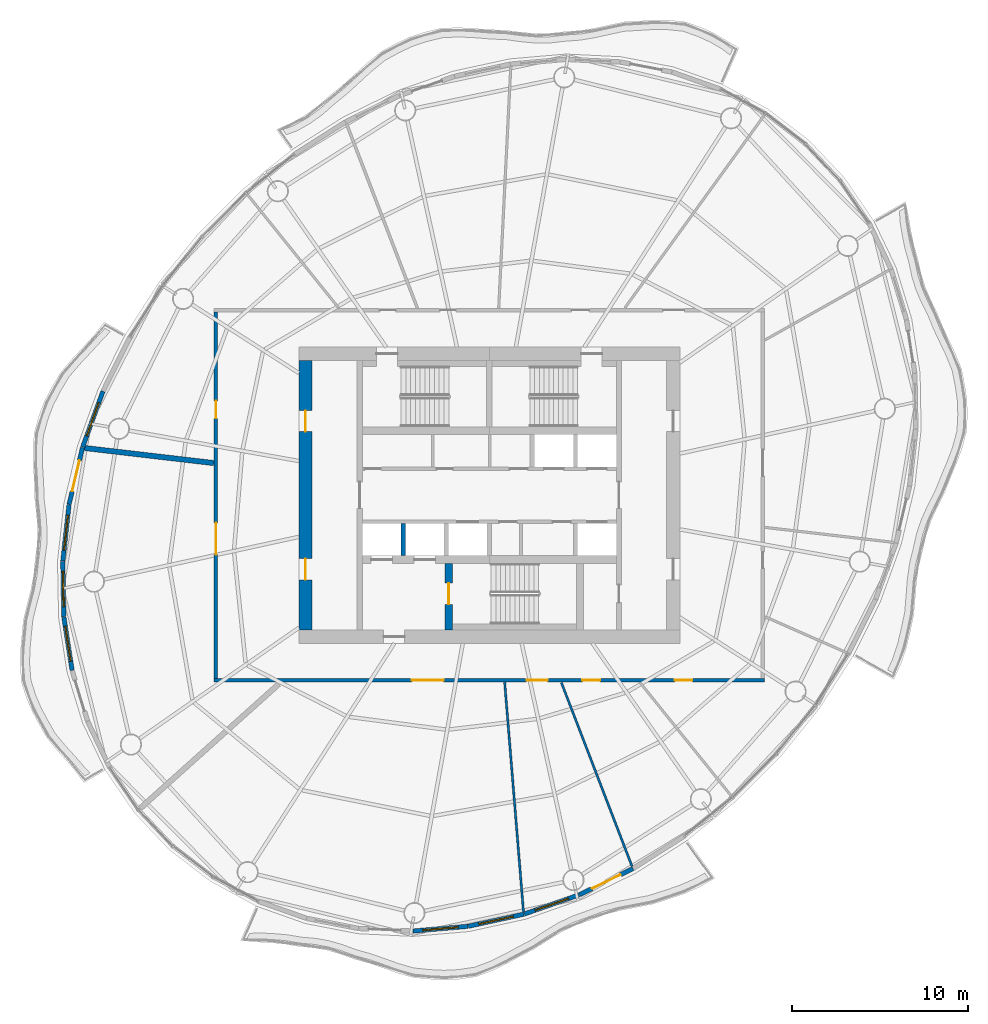
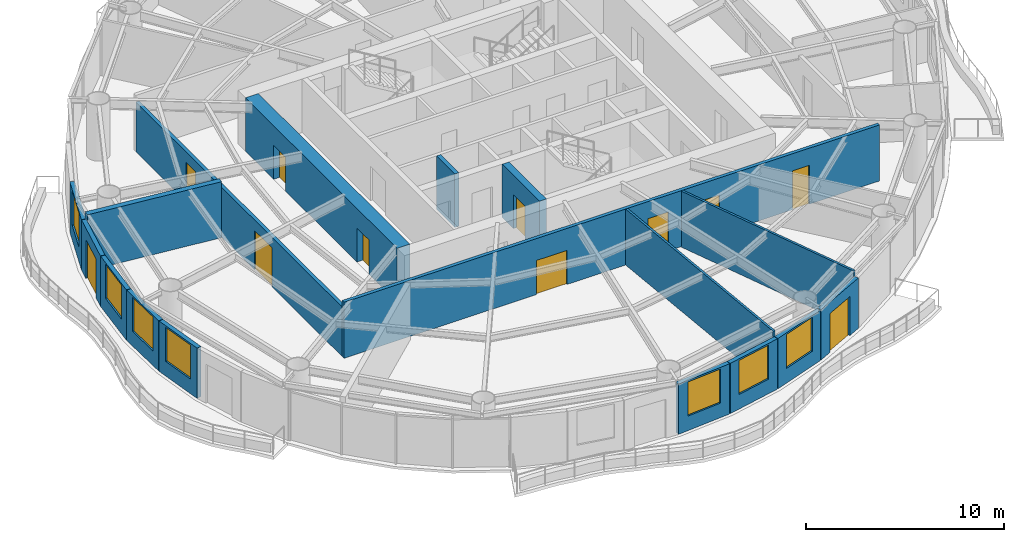
# One storey, part 8 of 14: 17 walls, 11 doors, 7 windows, 18 openings.
"""IFC4 building model written with IfcOpenShell, lengths in metres."""

from ifc_helpers import new_model, si_unit, direction, frame, frame_2d, origin, place, context, subcontext, project, spatial, rectangle, extrude, material, layer, layer_set, type_object, element, fill, save


model = new_model("IFC4")

# Units and contexts
model_context = context("Model", 3, precision=1e-05, world=origin(), true_north=direction((0.0, 1.0)))
body_context = subcontext(model_context, "Body", "Model", "MODEL_VIEW")
ifc_project = project(units=[si_unit("LENGTHUNIT", "METRE"), si_unit("AREAUNIT", "SQUARE_METRE"), si_unit("VOLUMEUNIT", "CUBIC_METRE"), si_unit("PLANEANGLEUNIT", "RADIAN"), si_unit("MASSUNIT", "GRAM", prefix="KILO")], contexts=[model_context])

# Site, building, storey
site_placement = place(None, origin())
site = spatial("IfcSite", under=ifc_project, at=site_placement, CompositionType="ELEMENT")
building_placement = place(site_placement, origin())
building = spatial("IfcBuilding", under=site, at=building_placement, Name="Vermilion Reach Broadcast Tower", CompositionType="ELEMENT")
storey_placement = place(building_placement, frame((0.0, 0.0, 224.5)))
storey = spatial("IfcBuildingStorey", under=building, at=storey_placement, Name="L55", CompositionType="ELEMENT", Elevation=224.5)

# Wall, opening, door
ifc_material_1 = material(Name="Concrete C60", Category="concrete")
ifc_layer_1 = layer(ifc_material_1, 0.39990234375)
ifc_layer_set_1 = layer_set([ifc_layer_1], Name="Core inner wall 400 mm Concrete C60")
wall_type_1 = type_object("IfcWallType", Name="Core inner wall 400 mm Concrete C60", PredefinedType="SHEAR", material=ifc_layer_set_1)
wall_1_placement = place(storey_placement, frame((-8.300048828125, -3.8798828125, 0.0), z_axis=(0.0, 0.0, 1.0), x_axis=(0.0, -1.0, 0.0)))
wall_1 = element("IfcWall", 1, at=wall_1_placement, inside=storey, type_object=wall_type_1, Name="L55 core wall wa", PredefinedType="SHEAR", context=body_context, shape_type="SweptSolid", body=[
    extrude(rectangle(XDim=3.77001953125, YDim=0.39990234375, at=frame_2d((1.885009765625, 0.0))), origin(), (0.0, 0.0, 1.0), 3.300048828125),
])
opening_1_placement = place(wall_1_placement, frame((1.110107421875, 0.0, 0.0)))
opening_1 = element("IfcOpeningElement", 2, at=opening_1_placement, cuts=wall_1, Name="Opening D01", PredefinedType="OPENING", context=body_context, shape_type="SweptSolid", body=[
    extrude(rectangle(XDim=1.199951171875, YDim=2.10009765625, at=frame_2d((0.60009765625, 1.050048828125))), frame((0.0, 0.2099609375, 0.0), z_axis=(0.0, -1.0, 0.0), x_axis=(1.0, 0.0, 0.0)), (0.0, 0.0, 1.0), 0.419921875),
])
ifc_material_2 = material(Name="Painted steel fire door", Category="steel")
door_type_1 = type_object("IfcDoorType", Name="Stair door 1200 x 2100", OperationType="DOUBLE_DOOR_SINGLE_SWING", PredefinedType="NOTDEFINED", material=ifc_material_2)
door_1_placement = place(opening_1_placement, origin())
door_1 = element("IfcDoor", 3, at=door_1_placement, inside=storey, type_object=door_type_1, Name="L55 stair door ST3", OperationType="DOUBLE_DOOR_SINGLE_SWING", OverallHeight=2.10009765625, OverallWidth=1.199951171875, PredefinedType="NOTDEFINED", context=body_context, shape_type="SweptSolid", body=[
    extrude(rectangle(XDim=1.199951171875, YDim=2.10009765625, at=frame_2d((0.60009765625, 1.050048828125))), frame((0.0, 0.02490234375, 0.0), z_axis=(0.0, -1.0, 0.0), x_axis=(1.0, 0.0, 0.0)), (0.0, 0.0, 1.0), 0.050048828125),
])
fill(opening_1, door_1)

# Wall, openings, doors
ifc_material_3 = material(Name="Concrete C60", Category="concrete")
ifc_layer_2 = layer(ifc_material_3, 0.75)
ifc_layer_set_2 = layer_set([ifc_layer_2], Name="Core outer wall 750 mm Concrete C60")
wall_type_2 = type_object("IfcWallType", Name="Core outer wall 750 mm Concrete C60", PredefinedType="SHEAR", material=ifc_layer_set_2)
wall_2_placement = place(storey_placement, frame((-16.425048828125, 7.64990234375, 0.0), z_axis=(0.0, 0.0, 1.0), x_axis=(0.0, -1.0, 0.0)))
wall_2 = element("IfcWall", 4, at=wall_2_placement, inside=storey, type_object=wall_type_2, Name="L55 core wall ow", PredefinedType="SHEAR", context=body_context, shape_type="SweptSolid", body=[
    extrude(rectangle(XDim=15.2998046875, YDim=0.75, at=frame_2d((7.64990234375, 0.0))), origin(), (0.0, 0.0, 1.0), 3.300048828125),
])
opening_2_placement = place(wall_2_placement, frame((11.25, 0.0, 0.0)))
opening_2 = element("IfcOpeningElement", 5, at=opening_2_placement, cuts=wall_2, Name="Opening D03", PredefinedType="OPENING", context=body_context, shape_type="SweptSolid", body=[
    extrude(rectangle(XDim=1.199951171875, YDim=2.10009765625, at=frame_2d((0.60009765625, 1.050048828125))), frame((0.0, 0.385009765625, 0.0), z_axis=(0.0, -1.0, 0.0), x_axis=(1.0, 0.0, 0.0)), (0.0, 0.0, 1.0), 0.77001953125),
])
opening_3_placement = place(wall_2_placement, frame((2.85009765625, 0.0, 0.0)))
opening_3 = element("IfcOpeningElement", 6, at=opening_3_placement, cuts=wall_2, Name="Opening D03", PredefinedType="OPENING", context=body_context, shape_type="SweptSolid", body=[
    extrude(rectangle(XDim=1.199951171875, YDim=2.10009765625, at=frame_2d((0.60009765625, 1.050048828125))), frame((0.0, 0.385009765625, 0.0), z_axis=(0.0, -1.0, 0.0), x_axis=(1.0, 0.0, 0.0)), (0.0, 0.0, 1.0), 0.77001953125),
])
ifc_material_4 = material(Name="Painted steel fire door", Category="steel")
door_type_2 = type_object("IfcDoorType", Name="Core lobby door 1200 x 2100", OperationType="DOUBLE_DOOR_SINGLE_SWING", PredefinedType="NOTDEFINED", material=ifc_material_4)
door_2_placement = place(opening_2_placement, origin())
door_2 = element("IfcDoor", 7, at=door_2_placement, inside=storey, type_object=door_type_2, Name="L55 slot door W0", OperationType="DOUBLE_DOOR_SINGLE_SWING", OverallHeight=2.10009765625, OverallWidth=1.199951171875, PredefinedType="NOTDEFINED", context=body_context, shape_type="SweptSolid", body=[
    extrude(rectangle(XDim=1.199951171875, YDim=2.10009765625, at=frame_2d((0.60009765625, 1.050048828125))), frame((0.0, 0.02490234375, 0.0), z_axis=(0.0, -1.0, 0.0), x_axis=(1.0, 0.0, 0.0)), (0.0, 0.0, 1.0), 0.050048828125),
])
fill(opening_2, door_2)
door_3_placement = place(opening_3_placement, origin())
door_3 = element("IfcDoor", 8, at=door_3_placement, inside=storey, type_object=door_type_2, Name="L55 slot door W1", OperationType="DOUBLE_DOOR_SINGLE_SWING", OverallHeight=2.10009765625, OverallWidth=1.199951171875, PredefinedType="NOTDEFINED", context=body_context, shape_type="SweptSolid", body=[
    extrude(rectangle(XDim=1.199951171875, YDim=2.10009765625, at=frame_2d((0.60009765625, 1.050048828125))), frame((0.0, 0.02490234375, 0.0), z_axis=(0.0, -1.0, 0.0), x_axis=(1.0, 0.0, 0.0)), (0.0, 0.0, 1.0), 0.050048828125),
])
fill(opening_3, door_3)

# Wall
ifc_material_5 = material(Name="Concrete C50", Category="concrete")
ifc_layer_3 = layer(ifc_material_5, 0.25)
ifc_layer_set_3 = layer_set([ifc_layer_3], Name="Core shaft wall 250 mm Concrete C50")
wall_type_3 = type_object("IfcWallType", Name="Core shaft wall 250 mm Concrete C50", PredefinedType="SHEAR", material=ifc_layer_set_3)
wall_3_placement = place(storey_placement, frame((-10.88330078125, -1.60009765625, 0.0), z_axis=(0.0, 0.0, 1.0), x_axis=(0.0, -1.0, 0.0)))
element("IfcWall", 9, at=wall_3_placement, inside=storey, type_object=wall_type_3, Name="L55 core wall psS0", PredefinedType="SHEAR", context=body_context, shape_type="SweptSolid", body=[
    extrude(rectangle(XDim=1.829833984375, YDim=0.25, at=frame_2d((0.9150390625, 0.0))), origin(), (0.0, 0.0, 1.0), 3.300048828125),
])

# Wall, openings, doors
ifc_material_6 = material(Name="Fire-rated gypsum board partition")
ifc_layer_4 = layer(ifc_material_6, 0.199951171875)
ifc_layer_set_4 = layer_set([ifc_layer_4], Name="Corridor wall 200 fire-rated")
wall_type_4 = type_object("IfcWallType", Name="Corridor wall 200 fire-rated", PredefinedType="PARTITIONING", material=ifc_layer_set_4)
wall_4_placement = place(storey_placement, frame((9.60009765625, -10.5, 0.0), z_axis=(0.0, 0.0, 1.0), x_axis=(-1.0, 0.0, 0.0)))
wall_4 = element("IfcWall", 10, at=wall_4_placement, inside=storey, type_object=wall_type_4, Name="Corridor wall 55.S", PredefinedType="PARTITIONING", context=body_context, shape_type="SweptSolid", body=[
    extrude(rectangle(XDim=31.2001953125, YDim=0.199951171875, at=frame_2d((15.60009765625, 0.0))), origin(), (0.0, 0.0, 1.0), 3.449951171875),
])
opening_4_placement = place(wall_4_placement, frame((18.197265625, 0.0, 0.0)))
opening_4 = element("IfcOpeningElement", 11, at=opening_4_placement, cuts=wall_4, Name="Opening D21", PredefinedType="OPENING", context=body_context, shape_type="SweptSolid", body=[
    extrude(rectangle(XDim=1.800048828125, YDim=2.10009765625, at=frame_2d((0.89990234375, 1.050048828125))), frame((0.0, 0.10986328125, 0.0), z_axis=(0.0, -1.0, 0.0), x_axis=(1.0, 0.0, 0.0)), (0.0, 0.0, 1.0), 0.219970703125),
])
opening_5_placement = place(wall_4_placement, frame((12.291259765625, 0.0, 0.0)))
opening_5 = element("IfcOpeningElement", 12, at=opening_5_placement, cuts=wall_4, Name="Opening D29", PredefinedType="OPENING", context=body_context, shape_type="SweptSolid", body=[
    extrude(rectangle(XDim=1.199951171875, YDim=2.39990234375, at=frame_2d((0.60009765625, 1.199951171875))), frame((0.0, 0.10986328125, 0.0), z_axis=(0.0, -1.0, 0.0), x_axis=(1.0, 0.0, 0.0)), (0.0, 0.0, 1.0), 0.219970703125),
])
opening_6_placement = place(wall_4_placement, frame((9.32373046875, 0.0, 0.0)))
opening_6 = element("IfcOpeningElement", 13, at=opening_6_placement, cuts=wall_4, Name="Opening D23", PredefinedType="OPENING", context=body_context, shape_type="SweptSolid", body=[
    extrude(rectangle(XDim=1.0, YDim=2.39990234375, at=frame_2d((0.5, 1.199951171875))), frame((0.0, 0.10986328125, 0.0), z_axis=(0.0, -1.0, 0.0), x_axis=(1.0, 0.0, 0.0)), (0.0, 0.0, 1.0), 0.219970703125),
])
opening_7_placement = place(wall_4_placement, frame((4.0859375, 0.0, 0.0)))
opening_7 = element("IfcOpeningElement", 14, at=opening_7_placement, cuts=wall_4, Name="Opening D23", PredefinedType="OPENING", context=body_context, shape_type="SweptSolid", body=[
    extrude(rectangle(XDim=1.0, YDim=2.39990234375, at=frame_2d((0.5, 1.199951171875))), frame((0.0, 0.10986328125, 0.0), z_axis=(0.0, -1.0, 0.0), x_axis=(1.0, 0.0, 0.0)), (0.0, 0.0, 1.0), 0.219970703125),
])
ifc_material_7 = material(Name="Timber door leaf", Category="wood")
door_type_3 = type_object("IfcDoorType", Name="Door pair 1800x2100", OperationType="NOTDEFINED", PredefinedType="DOOR", material=ifc_material_7)
door_4_placement = place(opening_4_placement, origin())
door_4 = element("IfcDoor", 15, at=door_4_placement, inside=storey, type_object=door_type_3, Name="Door 55.06", OperationType="DOUBLE_DOOR_SINGLE_SWING", OverallHeight=2.10009765625, OverallWidth=1.800048828125, PredefinedType="DOOR", context=body_context, shape_type="SweptSolid", body=[
    extrude(rectangle(XDim=1.800048828125, YDim=2.10009765625, at=frame_2d((0.89990234375, 1.050048828125))), frame((0.0, 0.02490234375, 0.0), z_axis=(0.0, -1.0, 0.0), x_axis=(1.0, 0.0, 0.0)), (0.0, 0.0, 1.0), 0.050048828125),
])
fill(opening_4, door_4)
ifc_material_8 = material(Name="Veneered timber door leaf", Category="wood")
door_type_4 = type_object("IfcDoorType", Name="Door single 1000x2400", OperationType="NOTDEFINED", PredefinedType="DOOR", material=ifc_material_8)
door_5_placement = place(opening_6_placement, origin())
door_5 = element("IfcDoor", 16, at=door_5_placement, inside=storey, type_object=door_type_4, Name="Door 55.08", OperationType="SINGLE_SWING_RIGHT", OverallHeight=2.39990234375, OverallWidth=1.0, PredefinedType="DOOR", context=body_context, shape_type="SweptSolid", body=[
    extrude(rectangle(XDim=1.0, YDim=2.39990234375, at=frame_2d((0.5, 1.199951171875))), frame((0.0, 0.02490234375, 0.0), z_axis=(0.0, -1.0, 0.0), x_axis=(1.0, 0.0, 0.0)), (0.0, 0.0, 1.0), 0.050048828125),
])
fill(opening_6, door_5)
door_6_placement = place(opening_7_placement, origin())
door_6 = element("IfcDoor", 17, at=door_6_placement, inside=storey, type_object=door_type_4, Name="Door 55.09", OperationType="SINGLE_SWING_RIGHT", OverallHeight=2.39990234375, OverallWidth=1.0, PredefinedType="DOOR", context=body_context, shape_type="SweptSolid", body=[
    extrude(rectangle(XDim=1.0, YDim=2.39990234375, at=frame_2d((0.5, 1.199951171875))), frame((0.0, 0.02490234375, 0.0), z_axis=(0.0, -1.0, 0.0), x_axis=(1.0, 0.0, 0.0)), (0.0, 0.0, 1.0), 0.050048828125),
])
fill(opening_7, door_6)
ifc_material_9 = material(Name="Veneered timber door leaf", Category="wood")
door_type_5 = type_object("IfcDoorType", Name="Door single 1200x2400", OperationType="NOTDEFINED", PredefinedType="DOOR", material=ifc_material_9)
door_7_placement = place(opening_5_placement, origin())
door_7 = element("IfcDoor", 18, at=door_7_placement, inside=storey, type_object=door_type_5, Name="Door 55.07", OperationType="SINGLE_SWING_LEFT", OverallHeight=2.39990234375, OverallWidth=1.199951171875, PredefinedType="DOOR", context=body_context, shape_type="SweptSolid", body=[
    extrude(rectangle(XDim=1.199951171875, YDim=2.39990234375, at=frame_2d((0.60009765625, 1.199951171875))), frame((0.0, 0.02490234375, 0.0), z_axis=(0.0, -1.0, 0.0), x_axis=(1.0, 0.0, 0.0)), (0.0, 0.0, 1.0), 0.050048828125),
])
fill(opening_5, door_7)

# Walls
ifc_material_10 = material(Name="Fire-rated plasterboard on steel stud", Category="steel")
ifc_layer_5 = layer(ifc_material_10, 0.125)
ifc_layer_set_5 = layer_set([ifc_layer_5], Name="Partition 125 fire-rated stud")
wall_type_5 = type_object("IfcWallType", Name="Partition 125 fire-rated stud", PredefinedType="PARTITIONING", material=ifc_layer_set_5)
wall_5_placement = place(storey_placement, frame((-4.06298828125, -23.631103515625, 0.0), z_axis=(0.0, 0.0, 1.0), x_axis=(-0.081688068258, 0.996657945087, 0.0)))
element("IfcWall", 19, at=wall_5_placement, inside=storey, type_object=wall_type_5, Name="Partition 55.07", PredefinedType="PARTITIONING", context=body_context, shape_type="SweptSolid", body=[
    extrude(rectangle(XDim=13.069580078125, YDim=0.125, at=frame_2d((6.53466796875, 0.0))), origin(), (0.0, 0.0, 1.0), 3.449951171875),
])
wall_6_placement = place(storey_placement, frame((2.0966796875, -21.056640625, 0.0), z_axis=(0.0, 0.0, 1.0), x_axis=(-0.35890151598, 0.933375434553, 0.0)))
element("IfcWall", 20, at=wall_6_placement, inside=storey, type_object=wall_type_5, Name="Partition 55.08", PredefinedType="PARTITIONING", context=body_context, shape_type="SweptSolid", body=[
    extrude(rectangle(XDim=11.17919921875, YDim=0.125, at=frame_2d((5.589599609375, 0.0))), origin(), (0.0, 0.0, 1.0), 3.449951171875),
])
ifc_material_11 = material(Name="Double-leaf plasterboard on isolated steel stud", Category="steel")
ifc_layer_6 = layer(ifc_material_11, 0.300048828125)
ifc_layer_set_6 = layer_set([ifc_layer_6], Name="Partition 300 acoustic double leaf")
wall_type_6 = type_object("IfcWallType", Name="Partition 300 acoustic double leaf", PredefinedType="PARTITIONING", material=ifc_layer_set_6)
wall_7_placement = place(storey_placement, frame((-28.943115234375, 2.676025390625, 0.0), z_axis=(0.0, 0.0, 1.0), x_axis=(0.993265805872, -0.115857839117, 0.0)))
element("IfcWall", 21, at=wall_7_placement, inside=storey, type_object=wall_type_6, Name="Partition 55.05", PredefinedType="PARTITIONING", context=body_context, shape_type="SweptSolid", body=[
    extrude(rectangle(XDim=7.375244140625, YDim=0.300048828125, at=frame_2d((3.6875, 0.0))), origin(), (0.0, 0.0, 1.0), 3.449951171875),
])

# Wall, opening, window
ifc_material_12 = material(Name="Terracotta rainscreen cladding", Category="masonry")
ifc_layer_7 = layer(ifc_material_12, 0.25)
ifc_layer_set_7 = layer_set([ifc_layer_7], Name="Terracotta rainscreen wall 250")
wall_type_7 = type_object("IfcWallType", Name="Terracotta rainscreen wall 250", PredefinedType="SOLIDWALL", material=ifc_layer_set_7)
wall_8_placement = place(storey_placement, frame((-27.90625, 5.890380859375, 0.0), z_axis=(0.0, 0.0, 1.0), x_axis=(-0.341964011847, -0.939713049075, 0.0)))
wall_8 = element("IfcWall", 22, at=wall_8_placement, inside=storey, type_object=wall_type_7, Name="External wall L55 15", PredefinedType="SOLIDWALL", context=body_context, shape_type="SweptSolid", body=[
    extrude(rectangle(XDim=3.37109375, YDim=0.25, at=frame_2d((1.685546875, 0.0))), origin(), (0.0, 0.0, 1.0), 3.10009765625),
])
opening_8_placement = place(wall_8_placement, frame((0.685546875, 0.0, 0.89990234375)))
opening_8 = element("IfcOpeningElement", 23, at=opening_8_placement, cuts=wall_8, Name="Opening W03", PredefinedType="OPENING", context=body_context, shape_type="SweptSolid", body=[
    extrude(rectangle(XDim=2.0, YDim=2.10009765625, at=frame_2d((1.0, 1.050048828125))), frame((0.0, 0.135009765625, 0.0), z_axis=(0.0, -1.0, 0.0), x_axis=(1.0, 0.0, 0.0)), (0.0, 0.0, 1.0), 0.27001953125),
])
ifc_material_13 = material(Name="Low-e laminated clear glass in aluminium frame", Category="aluminium")
window_type = type_object("IfcWindowType", Name="Punched window 2000 x 2100 sill 900", PartitioningType="SINGLE_PANEL", PredefinedType="WINDOW", material=ifc_material_13)
window_1_placement = place(opening_8_placement, origin())
window_1 = element("IfcWindow", 24, at=window_1_placement, inside=storey, type_object=window_type, Name="Window L55 15", OverallHeight=2.10009765625, OverallWidth=2.0, PartitioningType="SINGLE_PANEL", PredefinedType="WINDOW", context=body_context, shape_type="SweptSolid", body=[
    extrude(rectangle(XDim=2.0, YDim=2.10009765625, at=frame_2d((1.0, 1.050048828125))), frame((0.0, 0.030029296875, 0.0), z_axis=(0.0, -1.0, 0.0), x_axis=(1.0, 0.0, 0.0)), (0.0, 0.0, 1.0), 0.06005859375),
])
fill(opening_8, window_1)

# Wall, opening, door
wall_9_placement = place(storey_placement, frame((-29.065673828125, 2.700927734375, 0.0), z_axis=(0.0, 0.0, 1.0), x_axis=(-0.229983418088, -0.973194547562, 0.0)))
wall_9 = element("IfcWall", 25, at=wall_9_placement, inside=storey, type_object=wall_type_7, Name="External wall L55 16", PredefinedType="SOLIDWALL", context=body_context, shape_type="SweptSolid", body=[
    extrude(rectangle(XDim=3.30029296875, YDim=0.25, at=frame_2d((1.650146484375, 0.0))), origin(), (0.0, 0.0, 1.0), 3.10009765625),
])
opening_9_placement = place(wall_9_placement, frame((0.75, 0.0, 0.0)))
opening_9 = element("IfcOpeningElement", 26, at=opening_9_placement, cuts=wall_9, Name="Opening D70", PredefinedType="OPENING", context=body_context, shape_type="SweptSolid", body=[
    extrude(rectangle(XDim=1.800048828125, YDim=2.39990234375, at=frame_2d((0.89990234375, 1.199951171875))), frame((0.0, 0.135009765625, 0.0), z_axis=(0.0, -1.0, 0.0), x_axis=(1.0, 0.0, 0.0)), (0.0, 0.0, 1.0), 0.27001953125),
])
ifc_material_14 = material(Name="Low-e laminated clear glass in aluminium frame", Category="aluminium")
door_type_6 = type_object("IfcDoorType", Name="Balcony sliding door 1800 x 2400", OperationType="DOUBLE_DOOR_SLIDING", PredefinedType="DOOR", material=ifc_material_14)
door_8_placement = place(opening_9_placement, origin())
door_8 = element("IfcDoor", 27, at=door_8_placement, inside=storey, type_object=door_type_6, Name="Balcony door L55 run 04", OperationType="DOUBLE_DOOR_SLIDING", OverallHeight=2.39990234375, OverallWidth=1.800048828125, PredefinedType="DOOR", context=body_context, shape_type="SweptSolid", body=[
    extrude(rectangle(XDim=1.800048828125, YDim=2.39990234375, at=frame_2d((0.89990234375, 1.199951171875))), frame((0.0, 0.02490234375, 0.0), z_axis=(0.0, -1.0, 0.0), x_axis=(1.0, 0.0, 0.0)), (0.0, 0.0, 1.0), 0.050048828125),
])
fill(opening_9, door_8)

# Wall, opening, window
wall_10_placement = place(storey_placement, frame((-29.82861328125, -0.533935546875, 0.0), z_axis=(0.0, 0.0, 1.0), x_axis=(-0.10972407218, -0.993962085788, 0.0)))
wall_10 = element("IfcWall", 28, at=wall_10_placement, inside=storey, type_object=wall_type_7, Name="External wall L55 17", PredefinedType="SOLIDWALL", context=body_context, shape_type="SweptSolid", body=[
    extrude(rectangle(XDim=3.2197265625, YDim=0.25, at=frame_2d((1.60986328125, 0.0))), origin(), (0.0, 0.0, 1.0), 3.10009765625),
])
opening_10_placement = place(wall_10_placement, frame((0.60986328125, 0.0, 0.89990234375)))
opening_10 = element("IfcOpeningElement", 29, at=opening_10_placement, cuts=wall_10, Name="Opening W03", PredefinedType="OPENING", context=body_context, shape_type="SweptSolid", body=[
    extrude(rectangle(XDim=2.0, YDim=2.10009765625, at=frame_2d((1.0, 1.050048828125))), frame((0.0, 0.135009765625, 0.0), z_axis=(0.0, -1.0, 0.0), x_axis=(1.0, 0.0, 0.0)), (0.0, 0.0, 1.0), 0.27001953125),
])
window_2_placement = place(opening_10_placement, origin())
window_2 = element("IfcWindow", 30, at=window_2_placement, inside=storey, type_object=window_type, Name="Window L55 17", OverallHeight=2.10009765625, OverallWidth=2.0, PartitioningType="SINGLE_PANEL", PredefinedType="WINDOW", context=body_context, shape_type="SweptSolid", body=[
    extrude(rectangle(XDim=2.0, YDim=2.10009765625, at=frame_2d((1.0, 1.050048828125))), frame((0.0, 0.030029296875, 0.0), z_axis=(0.0, -1.0, 0.0), x_axis=(1.0, 0.0, 0.0)), (0.0, 0.0, 1.0), 0.06005859375),
])
fill(opening_10, window_2)

wall_11_placement = place(storey_placement, frame((-30.182861328125, -3.758056640625, 0.0), z_axis=(0.0, 0.0, 1.0), x_axis=(0.018385546929, -0.999830971547, 0.0)))
wall_11 = element("IfcWall", 31, at=wall_11_placement, inside=storey, type_object=wall_type_7, Name="External wall L55 18", PredefinedType="SOLIDWALL", context=body_context, shape_type="SweptSolid", body=[
    extrude(rectangle(XDim=3.1337890625, YDim=0.25, at=frame_2d((1.56689453125, 0.0))), origin(), (0.0, 0.0, 1.0), 3.10009765625),
])
opening_11_placement = place(wall_11_placement, frame((0.56689453125, 0.0, 0.89990234375)))
opening_11 = element("IfcOpeningElement", 32, at=opening_11_placement, cuts=wall_11, Name="Opening W03", PredefinedType="OPENING", context=body_context, shape_type="SweptSolid", body=[
    extrude(rectangle(XDim=2.0, YDim=2.10009765625, at=frame_2d((1.0, 1.050048828125))), frame((0.0, 0.135009765625, 0.0), z_axis=(0.0, -1.0, 0.0), x_axis=(1.0, 0.0, 0.0)), (0.0, 0.0, 1.0), 0.27001953125),
])
window_3_placement = place(opening_11_placement, origin())
window_3 = element("IfcWindow", 33, at=window_3_placement, inside=storey, type_object=window_type, Name="Window L55 18", OverallHeight=2.10009765625, OverallWidth=2.0, PartitioningType="SINGLE_PANEL", PredefinedType="WINDOW", context=body_context, shape_type="SweptSolid", body=[
    extrude(rectangle(XDim=2.0, YDim=2.10009765625, at=frame_2d((1.0, 1.050048828125))), frame((0.0, 0.030029296875, 0.0), z_axis=(0.0, -1.0, 0.0), x_axis=(1.0, 0.0, 0.0)), (0.0, 0.0, 1.0), 0.06005859375),
])
fill(opening_11, window_3)

wall_12_placement = place(storey_placement, frame((-30.123046875, -6.916015625, 0.0), z_axis=(0.0, 0.0, 1.0), x_axis=(0.15305011878, -0.98821842785, 0.0)))
wall_12 = element("IfcWall", 34, at=wall_12_placement, inside=storey, type_object=wall_type_7, Name="External wall L55 19", PredefinedType="SOLIDWALL", context=body_context, shape_type="SweptSolid", body=[
    extrude(rectangle(XDim=3.04833984375, YDim=0.25, at=frame_2d((1.524169921875, 0.0))), origin(), (0.0, 0.0, 1.0), 3.10009765625),
])
opening_12_placement = place(wall_12_placement, frame((0.524169921875, 0.0, 0.89990234375)))
opening_12 = element("IfcOpeningElement", 35, at=opening_12_placement, cuts=wall_12, Name="Opening W03", PredefinedType="OPENING", context=body_context, shape_type="SweptSolid", body=[
    extrude(rectangle(XDim=2.0, YDim=2.10009765625, at=frame_2d((1.0, 1.050048828125))), frame((0.0, 0.135009765625, 0.0), z_axis=(0.0, -1.0, 0.0), x_axis=(1.0, 0.0, 0.0)), (0.0, 0.0, 1.0), 0.27001953125),
])
window_4_placement = place(opening_12_placement, origin())
window_4 = element("IfcWindow", 36, at=window_4_placement, inside=storey, type_object=window_type, Name="Window L55 19", OverallHeight=2.10009765625, OverallWidth=2.0, PartitioningType="SINGLE_PANEL", PredefinedType="WINDOW", context=body_context, shape_type="SweptSolid", body=[
    extrude(rectangle(XDim=2.0, YDim=2.10009765625, at=frame_2d((1.0, 1.050048828125))), frame((0.0, 0.030029296875, 0.0), z_axis=(0.0, -1.0, 0.0), x_axis=(1.0, 0.0, 0.0)), (0.0, 0.0, 1.0), 0.06005859375),
])
fill(opening_12, window_4)

wall_13_placement = place(storey_placement, frame((-10.331787109375, -24.71337890625, 0.0), z_axis=(0.0, 0.0, 1.0), x_axis=(0.996280822504, 0.086165670135, 0.0)))
wall_13 = element("IfcWall", 37, at=wall_13_placement, inside=storey, type_object=wall_type_7, Name="External wall L55 29", PredefinedType="SOLIDWALL", context=body_context, shape_type="SweptSolid", body=[
    extrude(rectangle(XDim=3.1337890625, YDim=0.25, at=frame_2d((1.56689453125, 0.0))), origin(), (0.0, 0.0, 1.0), 3.10009765625),
])
opening_13_placement = place(wall_13_placement, frame((0.56689453125, 0.0, 0.89990234375)))
opening_13 = element("IfcOpeningElement", 38, at=opening_13_placement, cuts=wall_13, Name="Opening W03", PredefinedType="OPENING", context=body_context, shape_type="SweptSolid", body=[
    extrude(rectangle(XDim=2.0, YDim=2.10009765625, at=frame_2d((1.0, 1.050048828125))), frame((0.0, 0.135009765625, 0.0), z_axis=(0.0, -1.0, 0.0), x_axis=(1.0, 0.0, 0.0)), (0.0, 0.0, 1.0), 0.27001953125),
])
window_5_placement = place(opening_13_placement, origin())
window_5 = element("IfcWindow", 39, at=window_5_placement, inside=storey, type_object=window_type, Name="Window L55 29", OverallHeight=2.10009765625, OverallWidth=2.0, PartitioningType="SINGLE_PANEL", PredefinedType="WINDOW", context=body_context, shape_type="SweptSolid", body=[
    extrude(rectangle(XDim=2.0, YDim=2.10009765625, at=frame_2d((1.0, 1.050048828125))), frame((0.0, 0.030029296875, 0.0), z_axis=(0.0, -1.0, 0.0), x_axis=(1.0, 0.0, 0.0)), (0.0, 0.0, 1.0), 0.06005859375),
])
fill(opening_13, window_5)

wall_14_placement = place(storey_placement, frame((-7.18603515625, -24.439697265625, 0.0), z_axis=(0.0, 0.0, 1.0), x_axis=(0.977051639929, 0.213002565507, 0.0)))
wall_14 = element("IfcWall", 40, at=wall_14_placement, inside=storey, type_object=wall_type_7, Name="External wall L55 30", PredefinedType="SOLIDWALL", context=body_context, shape_type="SweptSolid", body=[
    extrude(rectangle(XDim=3.2197265625, YDim=0.25, at=frame_2d((1.60986328125, 0.0))), origin(), (0.0, 0.0, 1.0), 3.10009765625),
])
opening_14_placement = place(wall_14_placement, frame((0.60986328125, 0.0, 0.89990234375)))
opening_14 = element("IfcOpeningElement", 41, at=opening_14_placement, cuts=wall_14, Name="Opening W03", PredefinedType="OPENING", context=body_context, shape_type="SweptSolid", body=[
    extrude(rectangle(XDim=2.0, YDim=2.10009765625, at=frame_2d((1.0, 1.050048828125))), frame((0.0, 0.135009765625, 0.0), z_axis=(0.0, -1.0, 0.0), x_axis=(1.0, 0.0, 0.0)), (0.0, 0.0, 1.0), 0.27001953125),
])
window_6_placement = place(opening_14_placement, origin())
window_6 = element("IfcWindow", 42, at=window_6_placement, inside=storey, type_object=window_type, Name="Window L55 30", OverallHeight=2.10009765625, OverallWidth=2.0, PartitioningType="SINGLE_PANEL", PredefinedType="WINDOW", context=body_context, shape_type="SweptSolid", body=[
    extrude(rectangle(XDim=2.0, YDim=2.10009765625, at=frame_2d((1.0, 1.050048828125))), frame((0.0, 0.030029296875, 0.0), z_axis=(0.0, -1.0, 0.0), x_axis=(1.0, 0.0, 0.0)), (0.0, 0.0, 1.0), 0.06005859375),
])
fill(opening_14, window_6)

wall_15_placement = place(storey_placement, frame((-4.017822265625, -23.74755859375, 0.0), z_axis=(0.0, 0.0, 1.0), x_axis=(0.943819136109, 0.330462461279, 0.0)))
wall_15 = element("IfcWall", 43, at=wall_15_placement, inside=storey, type_object=wall_type_7, Name="External wall L55 31", PredefinedType="SOLIDWALL", context=body_context, shape_type="SweptSolid", body=[
    extrude(rectangle(XDim=3.300048828125, YDim=0.25, at=frame_2d((1.64990234375, 0.0))), origin(), (0.0, 0.0, 1.0), 3.10009765625),
])
opening_15_placement = place(wall_15_placement, frame((0.650146484375, 0.0, 0.89990234375)))
opening_15 = element("IfcOpeningElement", 44, at=opening_15_placement, cuts=wall_15, Name="Opening W03", PredefinedType="OPENING", context=body_context, shape_type="SweptSolid", body=[
    extrude(rectangle(XDim=2.0, YDim=2.10009765625, at=frame_2d((1.0, 1.050048828125))), frame((0.0, 0.135009765625, 0.0), z_axis=(0.0, -1.0, 0.0), x_axis=(1.0, 0.0, 0.0)), (0.0, 0.0, 1.0), 0.27001953125),
])
window_7_placement = place(opening_15_placement, origin())
window_7 = element("IfcWindow", 45, at=window_7_placement, inside=storey, type_object=window_type, Name="Window L55 31", OverallHeight=2.10009765625, OverallWidth=2.0, PartitioningType="SINGLE_PANEL", PredefinedType="WINDOW", context=body_context, shape_type="SweptSolid", body=[
    extrude(rectangle(XDim=2.0, YDim=2.10009765625, at=frame_2d((1.0, 1.050048828125))), frame((0.0, 0.030029296875, 0.0), z_axis=(0.0, -1.0, 0.0), x_axis=(1.0, 0.0, 0.0)), (0.0, 0.0, 1.0), 0.06005859375),
])
fill(opening_15, window_7)

# Wall, opening, door
wall_16_placement = place(storey_placement, frame((-0.882080078125, -22.648193359375, 0.0), z_axis=(0.0, 0.0, 1.0), x_axis=(0.898829687596, 0.43829806376, 0.0)))
wall_16 = element("IfcWall", 46, at=wall_16_placement, inside=storey, type_object=wall_type_7, Name="External wall L55 32", PredefinedType="SOLIDWALL", context=body_context, shape_type="SweptSolid", body=[
    extrude(rectangle(XDim=3.37109375, YDim=0.25, at=frame_2d((1.685546875, 0.0))), origin(), (0.0, 0.0, 1.0), 3.10009765625),
])
opening_16_placement = place(wall_16_placement, frame((0.785888671875, 0.0, 0.0)))
opening_16 = element("IfcOpeningElement", 47, at=opening_16_placement, cuts=wall_16, Name="Opening D70", PredefinedType="OPENING", context=body_context, shape_type="SweptSolid", body=[
    extrude(rectangle(XDim=1.800048828125, YDim=2.39990234375, at=frame_2d((0.89990234375, 1.199951171875))), frame((0.0, 0.135009765625, 0.0), z_axis=(0.0, -1.0, 0.0), x_axis=(1.0, 0.0, 0.0)), (0.0, 0.0, 1.0), 0.27001953125),
])
door_9_placement = place(opening_16_placement, origin())
door_9 = element("IfcDoor", 48, at=door_9_placement, inside=storey, type_object=door_type_6, Name="Balcony door L55 run 08", OperationType="DOUBLE_DOOR_SLIDING", OverallHeight=2.39990234375, OverallWidth=1.800048828125, PredefinedType="DOOR", context=body_context, shape_type="SweptSolid", body=[
    extrude(rectangle(XDim=1.800048828125, YDim=2.39990234375, at=frame_2d((0.89990234375, 1.199951171875))), frame((0.0, 0.02490234375, 0.0), z_axis=(0.0, -1.0, 0.0), x_axis=(1.0, 0.0, 0.0)), (0.0, 0.0, 1.0), 0.050048828125),
])
fill(opening_16, door_9)

# Wall, openings, doors
ifc_material_15 = material(Name="Fire-rated gypsum board partition")
ifc_layer_8 = layer(ifc_material_15, 0.199951171875)
ifc_layer_set_8 = layer_set([ifc_layer_8], Name="Under girder: Corridor wall 200 fire-rated")
wall_type_8 = type_object("IfcWallType", Name="Under girder: Corridor wall 200 fire-rated", PredefinedType="PARTITIONING", material=ifc_layer_set_8)
wall_17_placement = place(storey_placement, frame((-21.5, -10.39990234375, 0.0), z_axis=(0.0, 0.0, 1.0), x_axis=(0.0, 1.0, 0.0)))
wall_17 = element("IfcWall", 49, at=wall_17_placement, inside=storey, type_object=wall_type_8, Name="Corridor wall 55.W", PredefinedType="PARTITIONING", context=body_context, shape_type="SweptSolid", body=[
    extrude(rectangle(XDim=20.7998046875, YDim=0.199951171875, at=frame_2d((10.39990234375, 0.0))), origin(), (0.0, 0.0, 1.0), 3.050048828125),
])
opening_17_placement = place(wall_17_placement, frame((14.753662109375, 0.0, 0.0)))
opening_17 = element("IfcOpeningElement", 50, at=opening_17_placement, cuts=wall_17, Name="Opening D23", PredefinedType="OPENING", context=body_context, shape_type="SweptSolid", body=[
    extrude(rectangle(XDim=1.0, YDim=2.39990234375, at=frame_2d((0.5, 1.199951171875))), frame((0.0, 0.10986328125, 0.0), z_axis=(0.0, -1.0, 0.0), x_axis=(1.0, 0.0, 0.0)), (0.0, 0.0, 1.0), 0.219970703125),
])
opening_18_placement = place(wall_17_placement, frame((7.03369140625, 0.0, 0.0)))
opening_18 = element("IfcOpeningElement", 51, at=opening_18_placement, cuts=wall_17, Name="Opening D27", PredefinedType="OPENING", context=body_context, shape_type="SweptSolid", body=[
    extrude(rectangle(XDim=1.800048828125, YDim=2.39990234375, at=frame_2d((0.89990234375, 1.199951171875))), frame((0.0, 0.10986328125, 0.0), z_axis=(0.0, -1.0, 0.0), x_axis=(1.0, 0.0, 0.0)), (0.0, 0.0, 1.0), 0.219970703125),
])
ifc_material_16 = material(Name="Acoustic timber door leaf", Category="wood")
door_type_7 = type_object("IfcDoorType", Name="Door pair 1800x2400", OperationType="NOTDEFINED", PredefinedType="DOOR", material=ifc_material_16)
door_10_placement = place(opening_18_placement, origin())
door_10 = element("IfcDoor", 52, at=door_10_placement, inside=storey, type_object=door_type_7, Name="Door 55.05", OperationType="DOUBLE_DOOR_SINGLE_SWING", OverallHeight=2.39990234375, OverallWidth=1.800048828125, PredefinedType="DOOR", context=body_context, shape_type="SweptSolid", body=[
    extrude(rectangle(XDim=1.800048828125, YDim=2.39990234375, at=frame_2d((0.89990234375, 1.199951171875))), frame((0.0, 0.02490234375, 0.0), z_axis=(0.0, -1.0, 0.0), x_axis=(1.0, 0.0, 0.0)), (0.0, 0.0, 1.0), 0.050048828125),
])
fill(opening_18, door_10)
door_11_placement = place(opening_17_placement, origin())
door_11 = element("IfcDoor", 53, at=door_11_placement, inside=storey, type_object=door_type_4, Name="Door 55.04", OperationType="SINGLE_SWING_LEFT", OverallHeight=2.39990234375, OverallWidth=1.0, PredefinedType="DOOR", context=body_context, shape_type="SweptSolid", body=[
    extrude(rectangle(XDim=1.0, YDim=2.39990234375, at=frame_2d((0.5, 1.199951171875))), frame((0.0, 0.02490234375, 0.0), z_axis=(0.0, -1.0, 0.0), x_axis=(1.0, 0.0, 0.0)), (0.0, 0.0, 1.0), 0.050048828125),
])
fill(opening_17, door_11)

save(model, "model.ifc")
